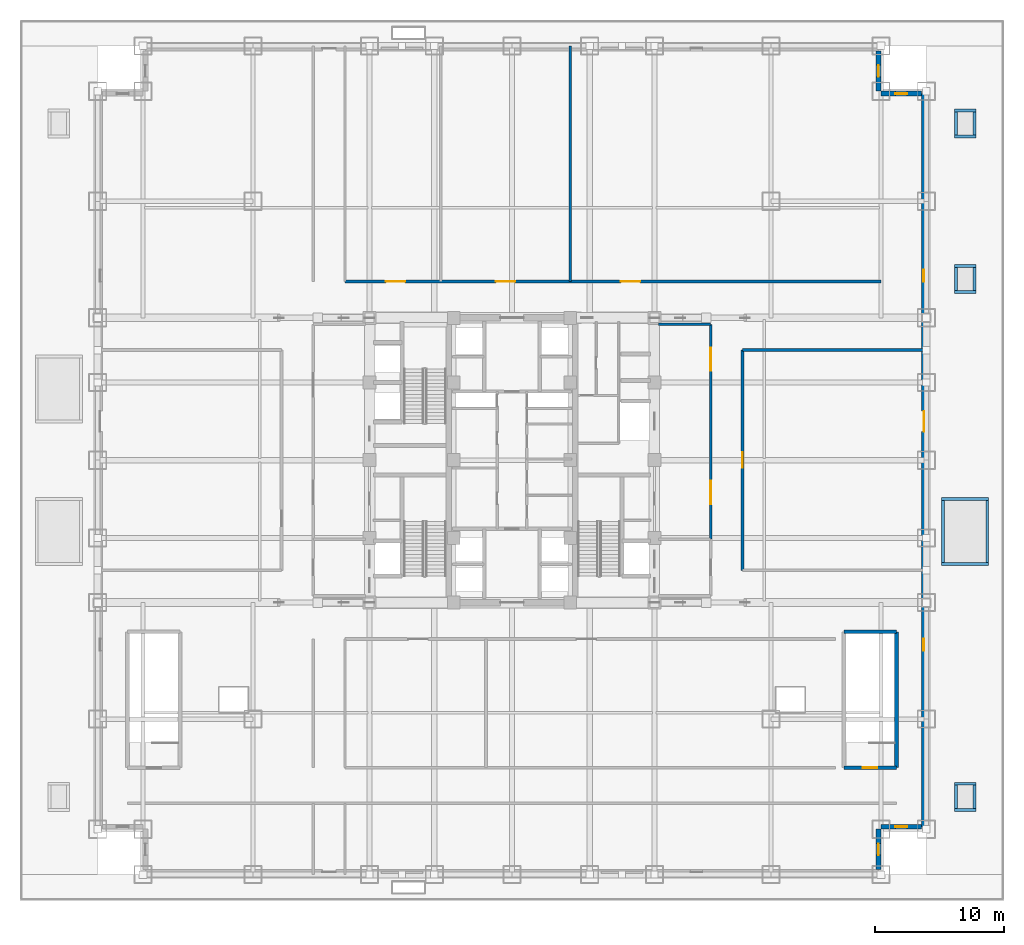
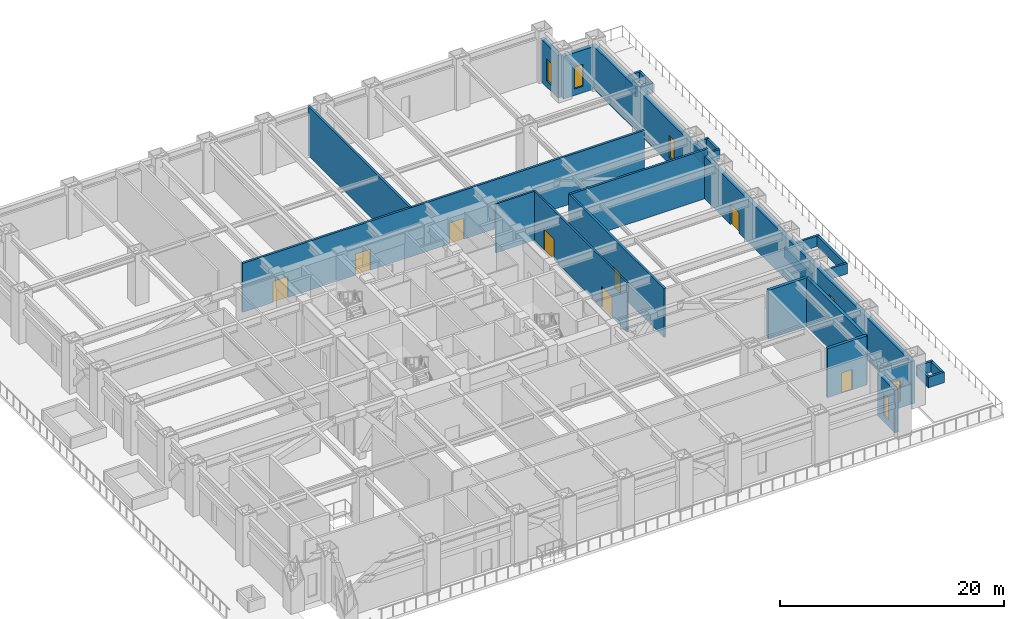
# One storey, part 15 of 21: 30 walls, 8 doors, 6 windows, 14 openings.
"""IFC4 building model written with IfcOpenShell, lengths in metres."""

from ifc_helpers import new_model, si_unit, direction, frame, frame_2d, origin, place, context, subcontext, project, spatial, rectangle, extrude, source, transform, mapped, material, layer, layer_set, type_object, element, fill, save


model = new_model("IFC4")

# Units and contexts
model_context = context("Model", 3, precision=1e-05, world=origin(), true_north=direction((0.0, 1.0)))
body_context = subcontext(model_context, "Body", "Model", "MODEL_VIEW")
ifc_project = project(units=[si_unit("LENGTHUNIT", "METRE"), si_unit("AREAUNIT", "SQUARE_METRE"), si_unit("VOLUMEUNIT", "CUBIC_METRE"), si_unit("PLANEANGLEUNIT", "RADIAN"), si_unit("MASSUNIT", "GRAM", prefix="KILO")], contexts=[model_context])

# Site, building, storey
site_placement = place(None, origin())
site = spatial("IfcSite", under=ifc_project, at=site_placement, CompositionType="ELEMENT")
building_placement = place(site_placement, origin())
building = spatial("IfcBuilding", under=site, at=building_placement, Name="Khorayat Bourse Tower", CompositionType="ELEMENT")
storey_placement = place(building_placement, frame((0.0, 0.0, 27.0)))
storey = spatial("IfcBuildingStorey", under=building, at=storey_placement, Name="L05", CompositionType="ELEMENT", Elevation=27.0)

# Wall, opening, window
ifc_material_1 = material(Name="Precast concrete C45/55", Category="concrete")
ifc_layer_1 = layer(ifc_material_1, 0.3798828125)
ifc_layer_set_1 = layer_set([ifc_layer_1], Name="Precast concrete C45/55")
wall_type_1 = type_object("IfcWallType", Name="WAL-EXT-STONE-380", PredefinedType="STANDARD", material=ifc_layer_set_1)
shared_shape_1 = source(origin(), body_context, "Body", "SweptSolid", [
    extrude(rectangle(XDim=3.1201171875, YDim=0.3798828125, at=frame_2d((1.56005859375, 0.0))), origin(), (0.0, 0.0, 1.0), 4.64501953125),
])
wall_1_placement = place(storey_placement, frame((28.31005859375, -31.6201171875, 0.0), z_axis=(0.0, 0.0, 1.0), x_axis=(0.0, 1.0, 0.0)))
wall_1 = element("IfcWall", 1, at=wall_1_placement, inside=storey, type_object=wall_type_1, Name="L05 Re-Entrant Notch Limestone Wall SE-V", PredefinedType="STANDARD", context=body_context, shape_type="MappedRepresentation", body=[
    mapped(shared_shape_1, transform((0.0, 0.0, 0.0), scale=1.0)),
])
shared_shape_2 = source(origin(), body_context, "Body", "SweptSolid", [
    extrude(rectangle(XDim=0.89990234375, YDim=2.39990234375, at=frame_2d((0.449951171875, 1.199951171875))), frame((0.0, 0.199951171875, 0.0), z_axis=(0.0, -1.0, 0.0), x_axis=(1.0, 0.0, 0.0)), (0.0, 0.0, 1.0), 0.39990234375),
])
opening_1_placement = place(wall_1_placement, frame((1.110107421875, 0.0, 0.699951171875)))
opening_1 = element("IfcOpeningElement", 2, at=opening_1_placement, cuts=wall_1, Name="Opening WN-03", PredefinedType="OPENING", context=body_context, shape_type="MappedRepresentation", body=[
    mapped(shared_shape_2, transform((0.0, 0.0, 0.0), scale=1.0)),
])
ifc_material_2 = material(Name="Deep-reveal solar-control double glazing", Category="glass")
window_type = type_object("IfcWindowType", Name="WIN-SLOT-900x2400", PartitioningType="SINGLE_PANEL", PredefinedType="WINDOW", material=ifc_material_2)
shared_shape_3 = source(origin(), body_context, "Body", "SweptSolid", [
    extrude(rectangle(XDim=0.89990234375, YDim=2.39990234375, at=frame_2d((0.449951171875, 1.199951171875))), frame((0.0, 0.030029296875, 0.0), z_axis=(0.0, -1.0, 0.0), x_axis=(1.0, 0.0, 0.0)), (0.0, 0.0, 1.0), 0.06005859375),
])
window_1_placement = place(opening_1_placement, origin())
window_1 = element("IfcWindow", 3, at=window_1_placement, inside=storey, type_object=window_type, Name="L05 Facade Window 1", OverallHeight=2.39990234375, OverallWidth=0.89990234375, PartitioningType="SINGLE_PANEL", PredefinedType="WINDOW", context=body_context, shape_type="MappedRepresentation", body=[
    mapped(shared_shape_3, transform((0.0, 0.0, 0.0), scale=1.0)),
])
fill(opening_1, window_1)

wall_2_placement = place(storey_placement, frame((28.5, -28.31005859375, 0.0), z_axis=(0.0, 0.0, 1.0), x_axis=(1.0, 0.0, 0.0)))
wall_2 = element("IfcWall", 4, at=wall_2_placement, inside=storey, type_object=wall_type_1, Name="L05 Re-Entrant Notch Limestone Wall SE-H", PredefinedType="STANDARD", context=body_context, shape_type="MappedRepresentation", body=[
    mapped(shared_shape_1, transform((0.0, 0.0, 0.0), scale=1.0)),
])
opening_2_placement = place(wall_2_placement, frame((1.110107421875, 0.0, 0.699951171875)))
opening_2 = element("IfcOpeningElement", 5, at=opening_2_placement, cuts=wall_2, Name="Opening WN-03", PredefinedType="OPENING", context=body_context, shape_type="MappedRepresentation", body=[
    mapped(shared_shape_2, transform((0.0, 0.0, 0.0), scale=1.0)),
])
window_2_placement = place(opening_2_placement, origin())
window_2 = element("IfcWindow", 6, at=window_2_placement, inside=storey, type_object=window_type, Name="L05 Facade Window 1", OverallHeight=2.39990234375, OverallWidth=0.89990234375, PartitioningType="SINGLE_PANEL", PredefinedType="WINDOW", context=body_context, shape_type="MappedRepresentation", body=[
    mapped(shared_shape_3, transform((0.0, 0.0, 0.0), scale=1.0)),
])
fill(opening_2, window_2)

wall_3_placement = place(storey_placement, frame((28.5, 28.31005859375, 0.0), z_axis=(0.0, 0.0, 1.0), x_axis=(1.0, 0.0, 0.0)))
wall_3 = element("IfcWall", 7, at=wall_3_placement, inside=storey, type_object=wall_type_1, Name="L05 Re-Entrant Notch Limestone Wall NE-H", PredefinedType="STANDARD", context=body_context, shape_type="MappedRepresentation", body=[
    mapped(shared_shape_1, transform((0.0, 0.0, 0.0), scale=1.0)),
])
opening_3_placement = place(wall_3_placement, frame((1.110107421875, 0.0, 0.699951171875)))
opening_3 = element("IfcOpeningElement", 8, at=opening_3_placement, cuts=wall_3, Name="Opening WN-03", PredefinedType="OPENING", context=body_context, shape_type="MappedRepresentation", body=[
    mapped(shared_shape_2, transform((0.0, 0.0, 0.0), scale=1.0)),
])
window_3_placement = place(opening_3_placement, origin())
window_3 = element("IfcWindow", 9, at=window_3_placement, inside=storey, type_object=window_type, Name="L05 Facade Window 1", OverallHeight=2.39990234375, OverallWidth=0.89990234375, PartitioningType="SINGLE_PANEL", PredefinedType="WINDOW", context=body_context, shape_type="MappedRepresentation", body=[
    mapped(shared_shape_3, transform((0.0, 0.0, 0.0), scale=1.0)),
])
fill(opening_3, window_3)

wall_4_placement = place(storey_placement, frame((28.31005859375, 28.5, 0.0), z_axis=(0.0, 0.0, 1.0), x_axis=(0.0, 1.0, 0.0)))
wall_4 = element("IfcWall", 10, at=wall_4_placement, inside=storey, type_object=wall_type_1, Name="L05 Re-Entrant Notch Limestone Wall NE-V", PredefinedType="STANDARD", context=body_context, shape_type="MappedRepresentation", body=[
    mapped(shared_shape_1, transform((0.0, 0.0, 0.0), scale=1.0)),
])
opening_4_placement = place(wall_4_placement, frame((1.110107421875, 0.0, 0.699951171875)))
opening_4 = element("IfcOpeningElement", 11, at=opening_4_placement, cuts=wall_4, Name="Opening WN-03", PredefinedType="OPENING", context=body_context, shape_type="MappedRepresentation", body=[
    mapped(shared_shape_2, transform((0.0, 0.0, 0.0), scale=1.0)),
])
window_4_placement = place(opening_4_placement, origin())
window_4 = element("IfcWindow", 12, at=window_4_placement, inside=storey, type_object=window_type, Name="L05 Facade Window 1", OverallHeight=2.39990234375, OverallWidth=0.89990234375, PartitioningType="SINGLE_PANEL", PredefinedType="WINDOW", context=body_context, shape_type="MappedRepresentation", body=[
    mapped(shared_shape_3, transform((0.0, 0.0, 0.0), scale=1.0)),
])
fill(opening_4, window_4)

# Wall, openings, door, windows
shared_shape_4 = source(origin(), body_context, "Body", "SweptSolid", [
    extrude(rectangle(XDim=57.0, YDim=0.3798828125, at=frame_2d((28.5, 0.0))), origin(), (0.0, 0.0, 1.0), 4.64501953125),
])
wall_5_placement = place(storey_placement, frame((31.81005859375, -28.5, 0.0), z_axis=(0.0, 0.0, 1.0), x_axis=(0.0, 1.0, 0.0)))
wall_5 = element("IfcWall", 13, at=wall_5_placement, inside=storey, type_object=wall_type_1, Name="L05 Plant Perimeter Wall E", PredefinedType="STANDARD", context=body_context, shape_type="MappedRepresentation", body=[
    mapped(shared_shape_4, transform((0.0, 0.0, 0.0), scale=1.0)),
])
shared_shape_5 = source(origin(), body_context, "Body", "SweptSolid", [
    extrude(rectangle(XDim=1.60009765625, YDim=2.25, at=frame_2d((0.800048828125, 1.125))), frame((0.0, 0.199951171875, 0.0), z_axis=(0.0, -1.0, 0.0), x_axis=(1.0, 0.0, 0.0)), (0.0, 0.0, 1.0), 0.39990234375),
])
opening_5_placement = place(wall_5_placement, frame((30.699951171875, 0.0, 0.0)))
opening_5 = element("IfcOpeningElement", 14, at=opening_5_placement, cuts=wall_5, Name="Opening DE-04", PredefinedType="OPENING", context=body_context, shape_type="MappedRepresentation", body=[
    mapped(shared_shape_5, transform((0.0, 0.0, 0.0), scale=1.0)),
])
opening_6_placement = place(wall_5_placement, frame((13.800048828125, 0.0, 0.699951171875)))
opening_6 = element("IfcOpeningElement", 15, at=opening_6_placement, cuts=wall_5, Name="Opening WN-03", PredefinedType="OPENING", context=body_context, shape_type="MappedRepresentation", body=[
    mapped(shared_shape_2, transform((0.0, 0.0, 0.0), scale=1.0)),
])
opening_7_placement = place(wall_5_placement, frame((42.300048828125, 0.0, 0.699951171875)))
opening_7 = element("IfcOpeningElement", 16, at=opening_7_placement, cuts=wall_5, Name="Opening WN-03", PredefinedType="OPENING", context=body_context, shape_type="MappedRepresentation", body=[
    mapped(shared_shape_2, transform((0.0, 0.0, 0.0), scale=1.0)),
])
ifc_material_3 = material(Name="Thermally broken aluminium terrace double door", Category="aluminium")
door_type_1 = type_object("IfcDoorType", Name="DR-EXT-TERR-1600", OperationType="NOTDEFINED", PredefinedType="DOOR", material=ifc_material_3)
shared_shape_6 = source(origin(), body_context, "Body", "SweptSolid", [
    extrude(rectangle(XDim=1.60009765625, YDim=2.25, at=frame_2d((0.800048828125, 1.125))), frame((0.0, 0.02490234375, 0.0), z_axis=(0.0, -1.0, 0.0), x_axis=(1.0, 0.0, 0.0)), (0.0, 0.0, 1.0), 0.050048828125),
])
door_1_placement = place(opening_5_placement, origin())
door_1 = element("IfcDoor", 17, at=door_1_placement, inside=storey, type_object=door_type_1, Name="L05 East Roof Terrace Door", OperationType="DOUBLE_DOOR_SINGLE_SWING", OverallHeight=2.25, OverallWidth=1.60009765625, PredefinedType="DOOR", context=body_context, shape_type="MappedRepresentation", body=[
    mapped(shared_shape_6, transform((0.0, 0.0, 0.0), scale=1.0)),
])
fill(opening_5, door_1)
window_5_placement = place(opening_6_placement, origin())
window_5 = element("IfcWindow", 18, at=window_5_placement, inside=storey, type_object=window_type, Name="L05 Facade Window 1", OverallHeight=2.39990234375, OverallWidth=0.89990234375, PartitioningType="SINGLE_PANEL", PredefinedType="WINDOW", context=body_context, shape_type="MappedRepresentation", body=[
    mapped(shared_shape_3, transform((0.0, 0.0, 0.0), scale=1.0)),
])
fill(opening_6, window_5)
window_6_placement = place(opening_7_placement, origin())
window_6 = element("IfcWindow", 19, at=window_6_placement, inside=storey, type_object=window_type, Name="L05 Facade Window 3", OverallHeight=2.39990234375, OverallWidth=0.89990234375, PartitioningType="SINGLE_PANEL", PredefinedType="WINDOW", context=body_context, shape_type="MappedRepresentation", body=[
    mapped(shared_shape_3, transform((0.0, 0.0, 0.0), scale=1.0)),
])
fill(opening_7, window_6)

# Walls
ifc_layer_2 = layer(ifc_material_1, 0.219970703125)
ifc_layer_set_2 = layer_set([ifc_layer_2], Name="Precast concrete C45/55")
wall_type_2 = type_object("IfcWallType", Name="WAL-PARAPET-220", PredefinedType="PARAPET", material=ifc_layer_set_2)
shared_shape_7 = source(origin(), body_context, "Body", "SweptSolid", [
    extrude(rectangle(XDim=1.64013671875, YDim=0.219970703125, at=frame_2d((0.820068359375, 0.0))), origin(), (0.0, 0.0, 1.0), 1.14990234375),
])
for number, where, z_axis, x_axis, name in (
    (20, (34.179931640625, -27.010009765625, 0.050048828125), (0.0, 0.0, 1.0), (1.0, 0.0, 0.0), "L05 Roof Opening Upstand Curb HT-ST3-S"),
    (21, (34.179931640625, -24.989990234375, 0.050048828125), (0.0, 0.0, 1.0), (1.0, 0.0, 0.0), "L05 Roof Opening Upstand Curb HT-ST3-N"),
    (22, (34.179931640625, 24.989990234375, 0.050048828125), (0.0, 0.0, 1.0), (1.0, 0.0, 0.0), "L05 Roof Opening Upstand Curb HT-MNT1-S"),
    (23, (34.179931640625, 27.010009765625, 0.050048828125), (0.0, 0.0, 1.0), (1.0, 0.0, 0.0), "L05 Roof Opening Upstand Curb HT-MNT1-N"),
    (24, (34.179931640625, 12.989990234375, 0.050048828125), (0.0, 0.0, 1.0), (1.0, 0.0, 0.0), "L05 Roof Opening Upstand Curb HT-MNT2-S"),
    (25, (34.179931640625, 15.010009765625, 0.050048828125), (0.0, 0.0, 1.0), (1.0, 0.0, 0.0), "L05 Roof Opening Upstand Curb HT-MNT2-N"),
):
    element("IfcWall", number, at=place(storey_placement, frame(where, z_axis=z_axis, x_axis=x_axis)), inside=storey, type_object=wall_type_2, Name=name, PredefinedType="PARAPET", context=body_context, shape_type="MappedRepresentation", body=[
        mapped(shared_shape_7, transform((0.0, 0.0, 0.0), scale=1.0)),
    ])
shared_shape_8 = source(origin(), body_context, "Body", "SweptSolid", [
    extrude(rectangle(XDim=1.7998046875, YDim=0.219970703125, at=frame_2d((0.89990234375, 0.0))), origin(), (0.0, 0.0, 1.0), 1.14990234375),
])
for number, where, z_axis, x_axis, name in (
    (26, (34.2900390625, -26.89990234375, 0.050048828125), (0.0, 0.0, 1.0), (0.0, 1.0, 0.0), "L05 Roof Opening Upstand Curb HT-ST3-W"),
    (27, (35.7099609375, -26.89990234375, 0.050048828125), (0.0, 0.0, 1.0), (0.0, 1.0, 0.0), "L05 Roof Opening Upstand Curb HT-ST3-E"),
    (28, (34.2900390625, 25.10009765625, 0.050048828125), (0.0, 0.0, 1.0), (0.0, 1.0, 0.0), "L05 Roof Opening Upstand Curb HT-MNT1-W"),
    (29, (35.7099609375, 25.10009765625, 0.050048828125), (0.0, 0.0, 1.0), (0.0, 1.0, 0.0), "L05 Roof Opening Upstand Curb HT-MNT1-E"),
    (30, (34.2900390625, 13.10009765625, 0.050048828125), (0.0, 0.0, 1.0), (0.0, 1.0, 0.0), "L05 Roof Opening Upstand Curb HT-MNT2-W"),
    (31, (35.7099609375, 13.10009765625, 0.050048828125), (0.0, 0.0, 1.0), (0.0, 1.0, 0.0), "L05 Roof Opening Upstand Curb HT-MNT2-E"),
):
    element("IfcWall", number, at=place(storey_placement, frame(where, z_axis=z_axis, x_axis=x_axis)), inside=storey, type_object=wall_type_2, Name=name, PredefinedType="PARAPET", context=body_context, shape_type="MappedRepresentation", body=[
        mapped(shared_shape_8, transform((0.0, 0.0, 0.0), scale=1.0)),
    ])
shared_shape_9 = source(origin(), body_context, "Body", "SweptSolid", [
    extrude(rectangle(XDim=3.64013671875, YDim=0.219970703125, at=frame_2d((1.820068359375, 0.0))), origin(), (0.0, 0.0, 1.0), 1.14990234375),
])
for number, where, z_axis, x_axis, name in (
    (32, (33.179931640625, -8.010009765625, 0.050048828125), (0.0, 0.0, 1.0), (1.0, 0.0, 0.0), "L05 Roof Opening Upstand Curb SKY-L05-E-S"),
    (33, (33.179931640625, -2.989990234375, 0.050048828125), (0.0, 0.0, 1.0), (1.0, 0.0, 0.0), "L05 Roof Opening Upstand Curb SKY-L05-E-N"),
):
    element("IfcWall", number, at=place(storey_placement, frame(where, z_axis=z_axis, x_axis=x_axis)), inside=storey, type_object=wall_type_2, Name=name, PredefinedType="PARAPET", context=body_context, shape_type="MappedRepresentation", body=[
        mapped(shared_shape_9, transform((0.0, 0.0, 0.0), scale=1.0)),
    ])
shared_shape_10 = source(origin(), body_context, "Body", "SweptSolid", [
    extrude(rectangle(XDim=4.7998046875, YDim=0.219970703125, at=frame_2d((2.39990234375, 0.0))), origin(), (0.0, 0.0, 1.0), 1.14990234375),
])
for number, where, z_axis, x_axis, name in (
    (34, (33.2900390625, -7.89990234375, 0.050048828125), (0.0, 0.0, 1.0), (0.0, 1.0, 0.0), "L05 Roof Opening Upstand Curb SKY-L05-E-W"),
    (35, (36.7099609375, -7.89990234375, 0.050048828125), (0.0, 0.0, 1.0), (0.0, 1.0, 0.0), "L05 Roof Opening Upstand Curb SKY-L05-E-E"),
):
    element("IfcWall", number, at=place(storey_placement, frame(where, z_axis=z_axis, x_axis=x_axis)), inside=storey, type_object=wall_type_2, Name=name, PredefinedType="PARAPET", context=body_context, shape_type="MappedRepresentation", body=[
        mapped(shared_shape_10, transform((0.0, 0.0, 0.0), scale=1.0)),
    ])
ifc_material_4 = material(Name="Gypsum plasterboard acoustic stud wall")
ifc_layer_3 = layer(ifc_material_4, 0.179931640625)
ifc_layer_set_3 = layer_set([ifc_layer_3], Name="Gypsum plasterboard acoustic stud wall")
wall_type_3 = type_object("IfcWallType", Name="WAL-PART-CORR-180", PredefinedType="PARTITIONING", material=ifc_layer_set_3)
shared_shape_11 = source(origin(), body_context, "Body", "SweptSolid", [
    extrude(rectangle(XDim=4.050048828125, YDim=0.179931640625, at=frame_2d((2.02490234375, 0.0))), origin(), (0.0, 0.0, 1.0), 5.340087890625),
])
wall_6_placement = place(storey_placement, frame((11.300048828125, 10.5, 0.0), z_axis=(0.0, 0.0, 1.0), x_axis=(1.0, 0.0, 0.0)))
element("IfcWall", 36, at=wall_6_placement, inside=storey, type_object=wall_type_3, Name="L05 Partition WAL-L05-ELOB-N", PredefinedType="PARTITIONING", context=body_context, shape_type="MappedRepresentation", body=[
    mapped(shared_shape_11, transform((0.0, 0.0, 0.0), scale=1.0)),
])

# Wall, openings, doors
shared_shape_12 = source(origin(), body_context, "Body", "SweptSolid", [
    extrude(rectangle(XDim=16.60009765625, YDim=0.179931640625, at=frame_2d((8.300048828125, 0.0))), origin(), (0.0, 0.0, 1.0), 5.340087890625),
])
wall_7_placement = place(storey_placement, frame((15.35009765625, -6.10009765625, 0.0), z_axis=(0.0, 0.0, 1.0), x_axis=(0.0, 1.0, 0.0)))
wall_7 = element("IfcWall", 37, at=wall_7_placement, inside=storey, type_object=wall_type_3, Name="L05 Partition WAL-L05-ELOB-E", PredefinedType="PARTITIONING", context=body_context, shape_type="MappedRepresentation", body=[
    mapped(shared_shape_12, transform((0.0, 0.0, 0.0), scale=1.0)),
])
shared_shape_13 = source(origin(), body_context, "Body", "SweptSolid", [
    extrude(rectangle(XDim=1.800048828125, YDim=2.25, at=frame_2d((0.89990234375, 1.125))), frame((0.0, 0.099853515625, 0.0), z_axis=(0.0, -1.0, 0.0), x_axis=(1.0, 0.0, 0.0)), (0.0, 0.0, 1.0), 0.199951171875),
])
opening_8_placement = place(wall_7_placement, frame((2.699951171875, 0.0, 0.0)))
opening_8 = element("IfcOpeningElement", 38, at=opening_8_placement, cuts=wall_7, Name="Opening DI-03", PredefinedType="OPENING", context=body_context, shape_type="MappedRepresentation", body=[
    mapped(shared_shape_13, transform((0.0, 0.0, 0.0), scale=1.0)),
])
opening_9_placement = place(wall_7_placement, frame((13.0, 0.0, 0.0)))
opening_9 = element("IfcOpeningElement", 39, at=opening_9_placement, cuts=wall_7, Name="Opening DI-03", PredefinedType="OPENING", context=body_context, shape_type="MappedRepresentation", body=[
    mapped(shared_shape_13, transform((0.0, 0.0, 0.0), scale=1.0)),
])
ifc_material_5 = material(Name="Fire-rated hardwood vision-panel double leaf", Category="wood")
door_type_2 = type_object("IfcDoorType", Name="DR-INT-CORR-1800", OperationType="NOTDEFINED", PredefinedType="DOOR", material=ifc_material_5)
shared_shape_14 = source(origin(), body_context, "Body", "SweptSolid", [
    extrude(rectangle(XDim=1.800048828125, YDim=2.25, at=frame_2d((0.89990234375, 1.125))), frame((0.0, 0.02490234375, 0.0), z_axis=(0.0, -1.0, 0.0), x_axis=(1.0, 0.0, 0.0)), (0.0, 0.0, 1.0), 0.050048828125),
])
door_2_placement = place(opening_8_placement, origin())
door_2 = element("IfcDoor", 40, at=door_2_placement, inside=storey, type_object=door_type_2, Name="L05 East Core Lobby South Door", OperationType="SINGLE_SWING_RIGHT", OverallHeight=2.25, OverallWidth=1.800048828125, PredefinedType="DOOR", context=body_context, shape_type="MappedRepresentation", body=[
    mapped(shared_shape_14, transform((0.0, 0.0, 0.0), scale=1.0)),
])
fill(opening_8, door_2)
door_3_placement = place(opening_9_placement, origin())
door_3 = element("IfcDoor", 41, at=door_3_placement, inside=storey, type_object=door_type_2, Name="L05 East Core Lobby North Door", OperationType="SINGLE_SWING_LEFT", OverallHeight=2.25, OverallWidth=1.800048828125, PredefinedType="DOOR", context=body_context, shape_type="MappedRepresentation", body=[
    mapped(shared_shape_14, transform((0.0, 0.0, 0.0), scale=1.0)),
])
fill(opening_9, door_3)

# Wall, opening, door
ifc_material_6 = material(Name="Concrete C50/60", Category="concrete")
ifc_layer_4 = layer(ifc_material_6, 0.300048828125)
ifc_layer_set_4 = layer_set([ifc_layer_4], Name="Concrete C50/60")
wall_type_4 = type_object("IfcWallType", Name="WAL-SHAFT-300", PredefinedType="SHEAR", material=ifc_layer_set_4)
shared_shape_15 = source(origin(), body_context, "Body", "SweptSolid", [
    extrude(rectangle(XDim=4.050048828125, YDim=0.300048828125, at=frame_2d((2.02490234375, 0.0))), origin(), (0.0, 0.0, 1.0), 5.340087890625),
])
wall_8_placement = place(storey_placement, frame((25.64990234375, -23.75, 0.0), z_axis=(0.0, 0.0, 1.0), x_axis=(1.0, 0.0, 0.0)))
wall_8 = element("IfcWall", 42, at=wall_8_placement, inside=storey, type_object=wall_type_4, Name="L05 Partition WAL-L05-STP2-S", PredefinedType="SHEAR", context=body_context, shape_type="MappedRepresentation", body=[
    mapped(shared_shape_15, transform((0.0, 0.0, 0.0), scale=1.0)),
])
shared_shape_16 = source(origin(), body_context, "Body", "SweptSolid", [
    extrude(rectangle(XDim=1.10009765625, YDim=2.199951171875, at=frame_2d((0.550048828125, 1.10009765625))), frame((0.0, 0.159912109375, 0.0), z_axis=(0.0, -1.0, 0.0), x_axis=(1.0, 0.0, 0.0)), (0.0, 0.0, 1.0), 0.320068359375),
])
opening_10_placement = place(wall_8_placement, frame((1.449951171875, 0.0, 0.0)))
opening_10 = element("IfcOpeningElement", 43, at=opening_10_placement, cuts=wall_8, Name="Opening DI-01", PredefinedType="OPENING", context=body_context, shape_type="MappedRepresentation", body=[
    mapped(shared_shape_16, transform((0.0, 0.0, 0.0), scale=1.0)),
])
ifc_material_7 = material(Name="Fire-rated steel acoustic leaf", Category="steel")
door_type_3 = type_object("IfcDoorType", Name="DR-INT-STAIR-1100", OperationType="NOTDEFINED", PredefinedType="DOOR", material=ifc_material_7)
shared_shape_17 = source(origin(), body_context, "Body", "SweptSolid", [
    extrude(rectangle(XDim=1.10009765625, YDim=2.199951171875, at=frame_2d((0.550048828125, 1.10009765625))), frame((0.0, 0.02490234375, 0.0), z_axis=(0.0, -1.0, 0.0), x_axis=(1.0, 0.0, 0.0)), (0.0, 0.0, 1.0), 0.050048828125),
])
door_4_placement = place(opening_10_placement, origin())
door_4 = element("IfcDoor", 44, at=door_4_placement, inside=storey, type_object=door_type_3, Name="L05 Stair P2 Arrival Door", OperationType="SINGLE_SWING_RIGHT", OverallHeight=2.199951171875, OverallWidth=1.10009765625, PredefinedType="DOOR", context=body_context, shape_type="MappedRepresentation", body=[
    mapped(shared_shape_17, transform((0.0, 0.0, 0.0), scale=1.0)),
])
fill(opening_10, door_4)

# Walls
wall_9_placement = place(storey_placement, frame((25.64990234375, -13.25, 0.0), z_axis=(0.0, 0.0, 1.0), x_axis=(1.0, 0.0, 0.0)))
element("IfcWall", 45, at=wall_9_placement, inside=storey, type_object=wall_type_4, Name="L05 Partition WAL-L05-STP2-N", PredefinedType="SHEAR", context=body_context, shape_type="MappedRepresentation", body=[
    mapped(shared_shape_15, transform((0.0, 0.0, 0.0), scale=1.0)),
])
shared_shape_18 = source(origin(), body_context, "Body", "SweptSolid", [
    extrude(rectangle(XDim=10.5, YDim=0.300048828125, at=frame_2d((5.25, 0.0))), origin(), (0.0, 0.0, 1.0), 5.340087890625),
])
wall_10_placement = place(storey_placement, frame((29.699951171875, -23.75, 0.0), z_axis=(0.0, 0.0, 1.0), x_axis=(0.0, 1.0, 0.0)))
element("IfcWall", 46, at=wall_10_placement, inside=storey, type_object=wall_type_4, Name="L05 Partition WAL-L05-STP2-E", PredefinedType="SHEAR", context=body_context, shape_type="MappedRepresentation", body=[
    mapped(shared_shape_18, transform((0.0, 0.0, 0.0), scale=1.0)),
])
ifc_material_8 = material(Name="Aerated concrete blockwork", Category="masonry")
ifc_layer_5 = layer(ifc_material_8, 0.219970703125)
ifc_layer_set_5 = layer_set([ifc_layer_5], Name="Aerated concrete blockwork")
wall_type_5 = type_object("IfcWallType", Name="WAL-PART-FF-220", PredefinedType="PARTITIONING", material=ifc_layer_set_5)
shared_shape_19 = source(origin(), body_context, "Body", "SweptSolid", [
    extrude(rectangle(XDim=18.199951171875, YDim=0.219970703125, at=frame_2d((9.10009765625, 0.0))), origin(), (0.0, 0.0, 1.0), 5.340087890625),
])
wall_11_placement = place(storey_placement, frame((4.5, 13.800048828125, 0.0), z_axis=(0.0, 0.0, 1.0), x_axis=(0.0, 1.0, 0.0)))
element("IfcWall", 47, at=wall_11_placement, inside=storey, type_object=wall_type_5, Name="L05 Partition WAL-L05-PLN-D2", PredefinedType="PARTITIONING", context=body_context, shape_type="MappedRepresentation", body=[
    mapped(shared_shape_19, transform((0.0, 0.0, 0.0), scale=1.0)),
])

# Wall, openings, doors
shared_shape_20 = source(origin(), body_context, "Body", "SweptSolid", [
    extrude(rectangle(XDim=41.39990234375, YDim=0.219970703125, at=frame_2d((20.699951171875, 0.0))), origin(), (0.0, 0.0, 1.0), 5.340087890625),
])
wall_12_placement = place(storey_placement, frame((-12.89990234375, 13.800048828125, 0.0), z_axis=(0.0, 0.0, 1.0), x_axis=(1.0, 0.0, 0.0)))
wall_12 = element("IfcWall", 48, at=wall_12_placement, inside=storey, type_object=wall_type_5, Name="L05 Partition WAL-L05-PLN-S", PredefinedType="PARTITIONING", context=body_context, shape_type="MappedRepresentation", body=[
    mapped(shared_shape_20, transform((0.0, 0.0, 0.0), scale=1.0)),
])
shared_shape_21 = source(origin(), body_context, "Body", "SweptSolid", [
    extrude(rectangle(XDim=1.5, YDim=2.300048828125, at=frame_2d((0.75, 1.14990234375))), frame((0.0, 0.119873046875, 0.0), z_axis=(0.0, -1.0, 0.0), x_axis=(1.0, 0.0, 0.0)), (0.0, 0.0, 1.0), 0.239990234375),
])
opening_11_placement = place(wall_12_placement, frame((3.14990234375, 0.0, 0.0)))
opening_11 = element("IfcOpeningElement", 49, at=opening_11_placement, cuts=wall_12, Name="Opening DI-07", PredefinedType="OPENING", context=body_context, shape_type="MappedRepresentation", body=[
    mapped(shared_shape_21, transform((0.0, 0.0, 0.0), scale=1.0)),
])
opening_12_placement = place(wall_12_placement, frame((11.64990234375, 0.0, 0.0)))
opening_12 = element("IfcOpeningElement", 50, at=opening_12_placement, cuts=wall_12, Name="Opening DI-07", PredefinedType="OPENING", context=body_context, shape_type="MappedRepresentation", body=[
    mapped(shared_shape_21, transform((0.0, 0.0, 0.0), scale=1.0)),
])
opening_13_placement = place(wall_12_placement, frame((21.300048828125, 0.0, 0.0)))
opening_13 = element("IfcOpeningElement", 51, at=opening_13_placement, cuts=wall_12, Name="Opening DI-07", PredefinedType="OPENING", context=body_context, shape_type="MappedRepresentation", body=[
    mapped(shared_shape_21, transform((0.0, 0.0, 0.0), scale=1.0)),
])
ifc_material_9 = material(Name="Louvred fire-rated steel plant double door", Category="steel")
door_type_4 = type_object("IfcDoorType", Name="DR-INT-PLANT-1500", OperationType="NOTDEFINED", PredefinedType="DOOR", material=ifc_material_9)
shared_shape_22 = source(origin(), body_context, "Body", "SweptSolid", [
    extrude(rectangle(XDim=1.5, YDim=2.300048828125, at=frame_2d((0.75, 1.14990234375))), frame((0.0, 0.02490234375, 0.0), z_axis=(0.0, -1.0, 0.0), x_axis=(1.0, 0.0, 0.0)), (0.0, 0.0, 1.0), 0.050048828125),
])
door_5_placement = place(opening_11_placement, origin())
door_5 = element("IfcDoor", 52, at=door_5_placement, inside=storey, type_object=door_type_4, Name="L05 AHU Plant Door", OperationType="SINGLE_SWING_LEFT", OverallHeight=2.300048828125, OverallWidth=1.5, PredefinedType="DOOR", context=body_context, shape_type="MappedRepresentation", body=[
    mapped(shared_shape_22, transform((0.0, 0.0, 0.0), scale=1.0)),
])
fill(opening_11, door_5)
door_6_placement = place(opening_12_placement, origin())
door_6 = element("IfcDoor", 53, at=door_6_placement, inside=storey, type_object=door_type_4, Name="L05 HV Switchgear Door", OperationType="SINGLE_SWING_RIGHT", OverallHeight=2.300048828125, OverallWidth=1.5, PredefinedType="DOOR", context=body_context, shape_type="MappedRepresentation", body=[
    mapped(shared_shape_22, transform((0.0, 0.0, 0.0), scale=1.0)),
])
fill(opening_12, door_6)
door_7_placement = place(opening_13_placement, origin())
door_7 = element("IfcDoor", 54, at=door_7_placement, inside=storey, type_object=door_type_4, Name="L05 BMS Plant Door", OperationType="SINGLE_SWING_LEFT", OverallHeight=2.300048828125, OverallWidth=1.5, PredefinedType="DOOR", context=body_context, shape_type="MappedRepresentation", body=[
    mapped(shared_shape_22, transform((0.0, 0.0, 0.0), scale=1.0)),
])
fill(opening_13, door_7)

# Wall
shared_shape_23 = source(origin(), body_context, "Body", "SweptSolid", [
    extrude(rectangle(XDim=14.199951171875, YDim=0.219970703125, at=frame_2d((7.10009765625, 0.0))), origin(), (0.0, 0.0, 1.0), 5.340087890625),
])
wall_13_placement = place(storey_placement, frame((17.800048828125, 8.5, 0.0), z_axis=(0.0, 0.0, 1.0), x_axis=(1.0, 0.0, 0.0)))
element("IfcWall", 55, at=wall_13_placement, inside=storey, type_object=wall_type_5, Name="L05 Partition WAL-L05-PLE-N", PredefinedType="PARTITIONING", context=body_context, shape_type="MappedRepresentation", body=[
    mapped(shared_shape_23, transform((0.0, 0.0, 0.0), scale=1.0)),
])

# Wall, opening, door
shared_shape_24 = source(origin(), body_context, "Body", "SweptSolid", [
    extrude(rectangle(XDim=17.0, YDim=0.219970703125, at=frame_2d((8.5, 0.0))), origin(), (0.0, 0.0, 1.0), 5.340087890625),
])
wall_14_placement = place(storey_placement, frame((17.800048828125, -8.5, 0.0), z_axis=(0.0, 0.0, 1.0), x_axis=(0.0, 1.0, 0.0)))
wall_14 = element("IfcWall", 56, at=wall_14_placement, inside=storey, type_object=wall_type_5, Name="L05 Partition WAL-L05-PLE-W", PredefinedType="PARTITIONING", context=body_context, shape_type="MappedRepresentation", body=[
    mapped(shared_shape_24, transform((0.0, 0.0, 0.0), scale=1.0)),
])
shared_shape_25 = source(origin(), body_context, "Body", "SweptSolid", [
    extrude(rectangle(XDim=1.199951171875, YDim=2.199951171875, at=frame_2d((0.60009765625, 1.10009765625))), frame((0.0, 0.119873046875, 0.0), z_axis=(0.0, -1.0, 0.0), x_axis=(1.0, 0.0, 0.0)), (0.0, 0.0, 1.0), 0.239990234375),
])
opening_14_placement = place(wall_14_placement, frame((7.89990234375, 0.0, 0.0)))
opening_14 = element("IfcOpeningElement", 57, at=opening_14_placement, cuts=wall_14, Name="Opening DI-02", PredefinedType="OPENING", context=body_context, shape_type="MappedRepresentation", body=[
    mapped(shared_shape_25, transform((0.0, 0.0, 0.0), scale=1.0)),
])
ifc_material_10 = material(Name="Fire-rated steel double-seal leaf", Category="steel")
door_type_5 = type_object("IfcDoorType", Name="DR-INT-FFLOBBY-1200", OperationType="NOTDEFINED", PredefinedType="DOOR", material=ifc_material_10)
shared_shape_26 = source(origin(), body_context, "Body", "SweptSolid", [
    extrude(rectangle(XDim=1.199951171875, YDim=2.199951171875, at=frame_2d((0.60009765625, 1.10009765625))), frame((0.0, 0.02490234375, 0.0), z_axis=(0.0, -1.0, 0.0), x_axis=(1.0, 0.0, 0.0)), (0.0, 0.0, 1.0), 0.050048828125),
])
door_8_placement = place(opening_14_placement, origin())
door_8 = element("IfcDoor", 58, at=door_8_placement, inside=storey, type_object=door_type_5, Name="L05 Protected Area of Refuge East Door", OperationType="SINGLE_SWING_RIGHT", OverallHeight=2.199951171875, OverallWidth=1.199951171875, PredefinedType="DOOR", context=body_context, shape_type="MappedRepresentation", body=[
    mapped(shared_shape_26, transform((0.0, 0.0, 0.0), scale=1.0)),
])
fill(opening_14, door_8)

save(model, "model.ifc")
